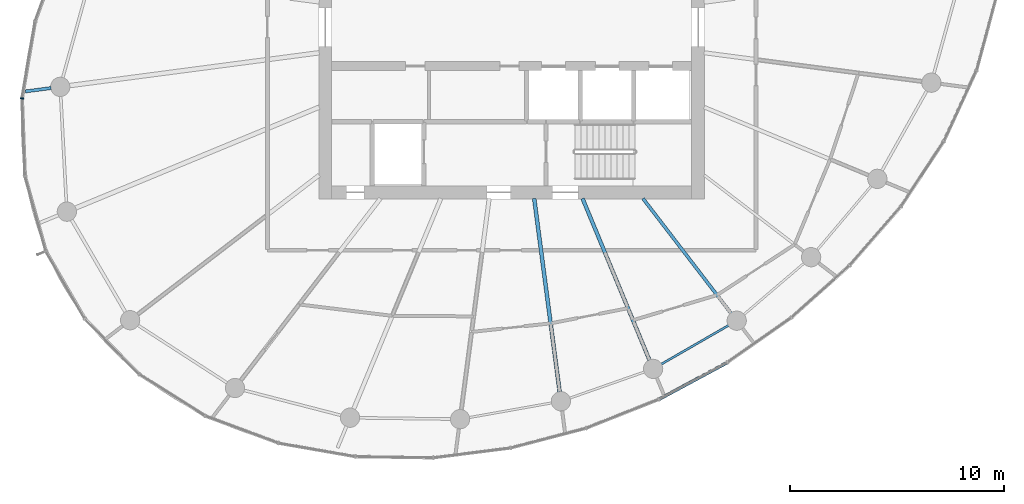
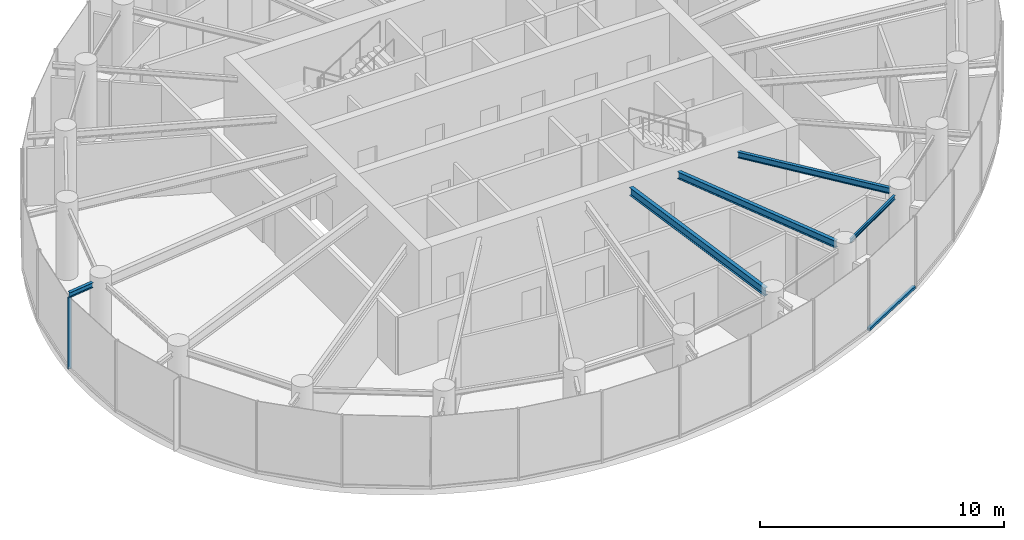
# One storey, part 3 of 14: 5 beams, 2 members, 2 elements without a shape of their own.
"""IFC4 building model written with IfcOpenShell, lengths in metres."""

from ifc_helpers import new_model, si_unit, direction, frame, origin, origin_2d, place, context, subcontext, project, spatial, rectangle, i_section, extrude, source, transform, mapped, material, layer, layer_set, material_profile, profile_set, type_object, element, aggregate, save


model = new_model("IFC4")

# Units and contexts
model_context = context("Model", 3, precision=1e-05, world=origin(), true_north=direction((0.0, 1.0)))
body_context = subcontext(model_context, "Body", "Model", "MODEL_VIEW")
ifc_project = project(units=[si_unit("LENGTHUNIT", "METRE"), si_unit("AREAUNIT", "SQUARE_METRE"), si_unit("VOLUMEUNIT", "CUBIC_METRE"), si_unit("PLANEANGLEUNIT", "RADIAN"), si_unit("MASSUNIT", "GRAM", prefix="KILO")], contexts=[model_context])

# Site, building, storey
site_placement = place(None, origin())
site = spatial("IfcSite", under=ifc_project, at=site_placement, CompositionType="ELEMENT")
building_placement = place(site_placement, origin())
building = spatial("IfcBuilding", under=site, at=building_placement, Name="Spindrift Exchange Tower", CompositionType="ELEMENT")
storey_placement = place(building_placement, frame((0.0, 0.0, 215.0)))
storey = spatial("IfcBuildingStorey", under=building, at=storey_placement, Name="L52", CompositionType="ELEMENT", Elevation=215.0)

# Beams
ifc_material_1 = material(Name="Steel Grade 300", Category="steel")
ifc_material_profile_1 = material_profile(ifc_material_1, i_section(OverallWidth=0.177978515625, OverallDepth=0.403076171875, WebThickness=0.007568359375, FlangeThickness=0.010986328125, FilletRadius=0.013916015625, at=origin_2d()), Name="410UB53.7")
ifc_profile_set_1 = profile_set([ifc_material_profile_1], Name="Steel Grade 300")
beam_type_1 = type_object("IfcBeamType", Name="Floor Beam 410UB53.7 Steel Grade 300", PredefinedType="BEAM", material=ifc_profile_set_1)
shared_shape_1 = source(origin(), body_context, "Body", "SweptSolid", [
    extrude(i_section(OverallWidth=0.177978515625, OverallDepth=0.403076171875, WebThickness=0.007568359375, FlangeThickness=0.010986328125, FilletRadius=0.013916015625, at=origin_2d()), origin(), (0.0, 0.0, 1.0), 9.11376953125),
])
beam_1_placement = place(storey_placement, frame((53.050537109375, 40.019775390625, 3.37841796875), z_axis=(0.130536972606, -0.991443442049, 0.0), x_axis=(0.991443442049, 0.130536972606, 0.0)))
element("IfcBeam", 1, at=beam_1_placement, inside=storey, type_object=beam_type_1, Name="L52 radial beam R19A", PredefinedType="BEAM", context=body_context, shape_type="MappedRepresentation", body=[
    mapped(shared_shape_1, transform((0.0, 0.0, 0.0), scale=1.0)),
])
ifc_material_profile_2 = material_profile(ifc_material_1, i_section(OverallWidth=0.1708984375, OverallDepth=0.35205078125, WebThickness=0.0068359375, FlangeThickness=0.009765625, FilletRadius=0.013916015625, at=origin_2d()), Name="360UB44.7")
ifc_profile_set_2 = profile_set([ifc_material_profile_2], Name="Steel Grade 300")
beam_type_2 = type_object("IfcBeamType", Name="Floor Beam 360UB44.7 Steel Grade 300", PredefinedType="BEAM", material=ifc_profile_set_2)
shared_shape_2 = source(origin(), body_context, "Body", "SweptSolid", [
    extrude(i_section(OverallWidth=0.1708984375, OverallDepth=0.35205078125, WebThickness=0.0068359375, FlangeThickness=0.009765625, FilletRadius=0.013916015625, at=origin_2d()), origin(), (0.0, 0.0, 1.0), 8.1748046875),
])
beam_2_placement = place(storey_placement, frame((55.30615234375, 40.0185546875, 3.404052734375), z_axis=(0.382655117626, -0.923891260352, 0.0), x_axis=(0.923891260352, 0.382655117626, 0.0)))
element("IfcBeam", 2, at=beam_2_placement, inside=storey, type_object=beam_type_2, Name="L52 radial beam R20A", PredefinedType="BEAM", context=body_context, shape_type="MappedRepresentation", body=[
    mapped(shared_shape_2, transform((0.0, 0.0, 0.0), scale=1.0)),
])
ifc_material_profile_3 = material_profile(ifc_material_1, i_section(OverallWidth=0.14892578125, OverallDepth=0.298095703125, WebThickness=0.005615234375, FlangeThickness=0.008056640625, FilletRadius=0.012939453125, at=origin_2d()), Name="310UB32.0")
ifc_profile_set_3 = profile_set([ifc_material_profile_3], Name="Steel Grade 300")
beam_type_3 = type_object("IfcBeamType", Name="Floor Beam 310UB32.0 Steel Grade 300", PredefinedType="BEAM", material=ifc_profile_set_3)
shared_shape_3 = source(origin(), body_context, "Body", "SweptSolid", [
    extrude(i_section(OverallWidth=0.14892578125, OverallDepth=0.298095703125, WebThickness=0.005615234375, FlangeThickness=0.008056640625, FilletRadius=0.012939453125, at=origin_2d()), origin(), (0.0, 0.0, 1.0), 6.753173828125),
])
beam_3_placement = place(storey_placement, frame((58.12646484375, 40.015869140625, 3.430908203125), z_axis=(0.608761639459, -0.793353178807, 0.0), x_axis=(0.793353178807, 0.608761639459, 0.0)))
element("IfcBeam", 3, at=beam_3_placement, inside=storey, type_object=beam_type_3, Name="L52 radial beam R21A", PredefinedType="BEAM", context=body_context, shape_type="MappedRepresentation", body=[
    mapped(shared_shape_3, transform((0.0, 0.0, 0.0), scale=1.0)),
])
ifc_material_profile_4 = material_profile(ifc_material_1, i_section(OverallWidth=0.09912109375, OverallDepth=0.197998046875, WebThickness=0.00439453125, FlangeThickness=0.007080078125, FilletRadius=0.010986328125, at=origin_2d()), Name="200UB18.2")
ifc_profile_set_4 = profile_set([ifc_material_profile_4], Name="Steel Grade 300")
beam_type_4 = type_object("IfcBeamType", Name="Edge Beam 200UB18.2 Steel Grade 300", PredefinedType="SPANDREL", material=ifc_profile_set_4)
shared_shape_4 = source(origin(), body_context, "Body", "SweptSolid", [
    extrude(i_section(OverallWidth=0.09912109375, OverallDepth=0.197998046875, WebThickness=0.00439453125, FlangeThickness=0.007080078125, FilletRadius=0.010986328125, at=origin_2d()), origin(), (0.0, 0.0, 1.0), 3.64208984375),
])
beam_4_placement = place(storey_placement, frame((58.971435546875, 32.283447265625, 3.48095703125), z_axis=(0.866364093123, 0.499412913476, 0.0), x_axis=(-0.499412913476, 0.866364093123, 0.0)))
element("IfcBeam", 4, at=beam_4_placement, inside=storey, type_object=beam_type_4, Name="L52 edge beam E20", PredefinedType="SPANDREL", context=body_context, shape_type="MappedRepresentation", body=[
    mapped(shared_shape_4, transform((0.0, 0.0, 0.0), scale=1.0)),
])
ifc_material_profile_5 = material_profile(ifc_material_1, i_section(OverallWidth=0.14599609375, OverallDepth=0.251953125, WebThickness=0.006103515625, FlangeThickness=0.008544921875, FilletRadius=0.011962890625, at=origin_2d()), Name="250UB31.4")
ifc_profile_set_5 = profile_set([ifc_material_profile_5], Name="Steel Grade 300")
beam_type_5 = type_object("IfcBeamType", Name="Cantilever Beam 250UB31.4 Steel Grade 300", PredefinedType="BEAM", material=ifc_profile_set_5)
shared_shape_5 = source(origin(), body_context, "Body", "SweptSolid", [
    extrude(i_section(OverallWidth=0.14599609375, OverallDepth=0.251953125, WebThickness=0.006103515625, FlangeThickness=0.008544921875, FilletRadius=0.011962890625, at=origin_2d()), origin(), (0.0, 0.0, 1.0), 1.212158203125),
])
beam_5_placement = place(storey_placement, frame((30.511474609375, 45.1708984375, 3.4541015625), z_axis=(-0.991448125205, -0.130501398564, 0.0), x_axis=(0.130501398564, -0.991448125205, 0.0)))
element("IfcBeam", 5, at=beam_5_placement, inside=storey, type_object=beam_type_5, Name="L52 cantilever beam R13T", PredefinedType="BEAM", context=body_context, shape_type="MappedRepresentation", body=[
    mapped(shared_shape_5, transform((0.0, 0.0, 0.0), scale=1.0)),
])

# Curtain wall, member
ifc_material_2 = material(Name="Fritted laminated glass with bronze frame", Category="glass")
ifc_layer = layer(ifc_material_2, 0.169921875)
ifc_layer_set = layer_set([ifc_layer], Name="ZONE 4 BRONZE FRITTED WALL")
curtain_wall_type = type_object("IfcCurtainWallType", Name="ZONE 4 BRONZE FRITTED WALL", PredefinedType="NOTDEFINED", material=ifc_layer_set)
curtain_wall_1_placement = place(storey_placement, origin())
curtain_wall_1 = element("IfcCurtainWall", 6, at=curtain_wall_1_placement, inside=storey, type_object=curtain_wall_type, Name="L52 Zone 4 Bronze Fritted Wall run 5", PredefinedType="NOTDEFINED")
ifc_material_3 = material(Name="Bronze anodised aluminium", Category="aluminium")
ifc_material_profile_6 = material_profile(ifc_material_3, rectangle(XDim=0.14990234375, YDim=0.125, at=origin_2d()), Name="ZONE 4 BRONZE FRITTED WALL TRANSOM 150X125")
ifc_profile_set_6 = profile_set([ifc_material_profile_6], Name="Bronze anodised aluminium")
member_type_1 = type_object("IfcMemberType", Name="ZONE 4 BRONZE FRITTED WALL TRANSOM 150X125", PredefinedType="USERDEFINED", material=ifc_profile_set_6)
shared_shape_6 = source(origin(), body_context, "Body", "SweptSolid", [
    extrude(rectangle(XDim=0.14990234375, YDim=0.125, at=origin_2d()), origin(), (0.0, 0.0, 1.0), 3.577880859375),
])
member_1_placement = place(storey_placement, frame((58.89404296875, 30.6572265625, 0.0625), z_axis=(0.880291373774, 0.474433448714, 0.0), x_axis=(-0.474433448714, 0.880291373774, 0.0)))
member_1 = element("IfcMember", 7, at=member_1_placement, type_object=member_type_1, Name="L52 transom CW-4.28", ObjectType="TRANSOM", PredefinedType="USERDEFINED", context=body_context, shape_type="MappedRepresentation", body=[
    mapped(shared_shape_6, transform((0.0, 0.0, 0.0), scale=1.0)),
])
aggregate(curtain_wall_1, [member_1])

curtain_wall_2_placement = place(storey_placement, origin())
curtain_wall_2 = element("IfcCurtainWall", 8, at=curtain_wall_2_placement, inside=storey, type_object=curtain_wall_type, Name="L52 Zone 4 Bronze Fritted Wall run 3", PredefinedType="NOTDEFINED")
ifc_material_profile_7 = material_profile(ifc_material_3, rectangle(XDim=0.06494140625, YDim=0.169921875, at=origin_2d()), Name="ZONE 4 BRONZE FRITTED WALL MULLION 65X170")
ifc_profile_set_7 = profile_set([ifc_material_profile_7], Name="Bronze anodised aluminium")
member_type_2 = type_object("IfcMemberType", Name="ZONE 4 BRONZE FRITTED WALL MULLION 65X170", PredefinedType="MULLION", material=ifc_profile_set_7)
shared_shape_7 = source(origin(), body_context, "Body", "SweptSolid", [
    extrude(rectangle(XDim=0.06494140625, YDim=0.169921875, at=origin_2d()), origin(), (0.0, 0.0, 1.0), 3.580078125),
])
member_2_placement = place(storey_placement, frame((29.147216796875, 44.69189453125, 0.0), z_axis=(0.0, 0.0, 1.0), x_axis=(-0.065204513433, -0.997871921355, 0.0)))
member_2 = element("IfcMember", 9, at=member_2_placement, type_object=member_type_2, Name="L52 mullion CW-4.17", PredefinedType="MULLION", context=body_context, shape_type="MappedRepresentation", body=[
    mapped(shared_shape_7, transform((0.0, 0.0, 0.0), scale=1.0)),
])
aggregate(curtain_wall_2, [member_2])

save(model, "model.ifc")
